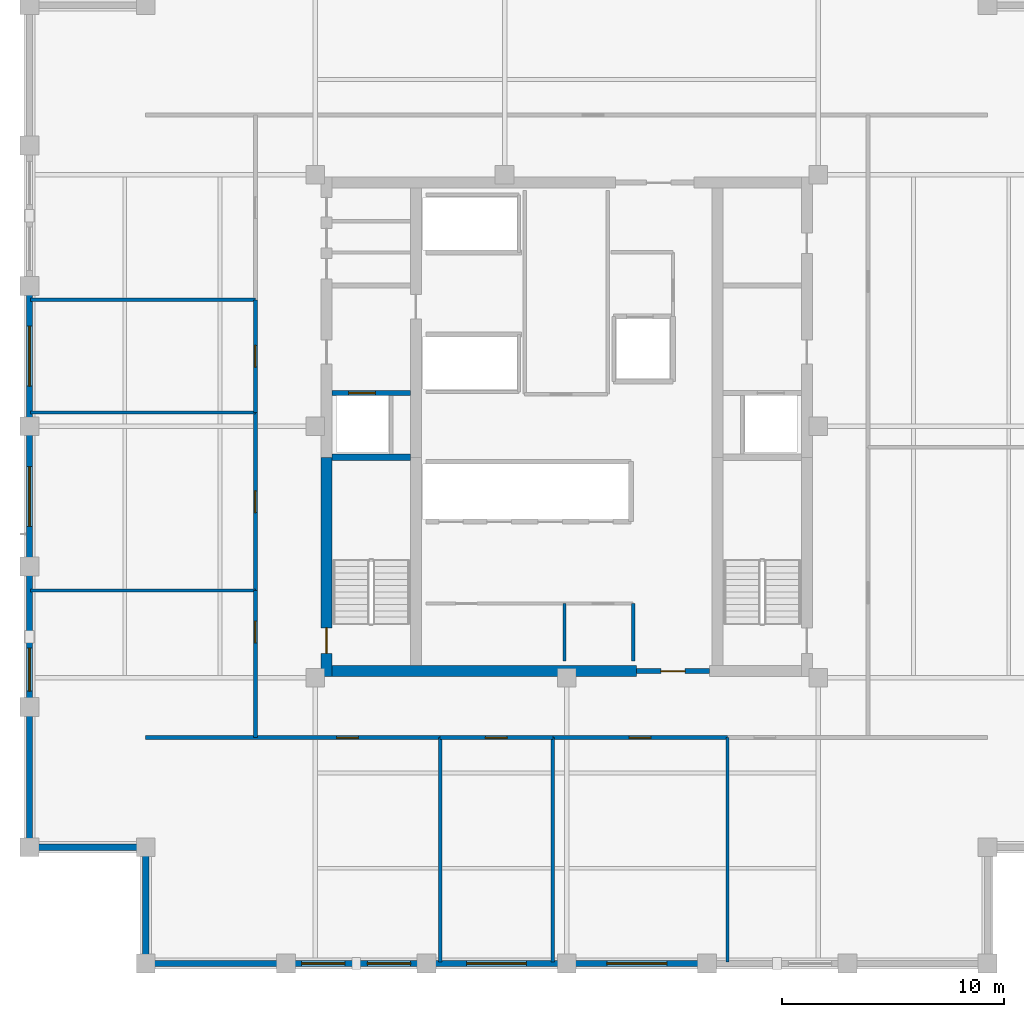
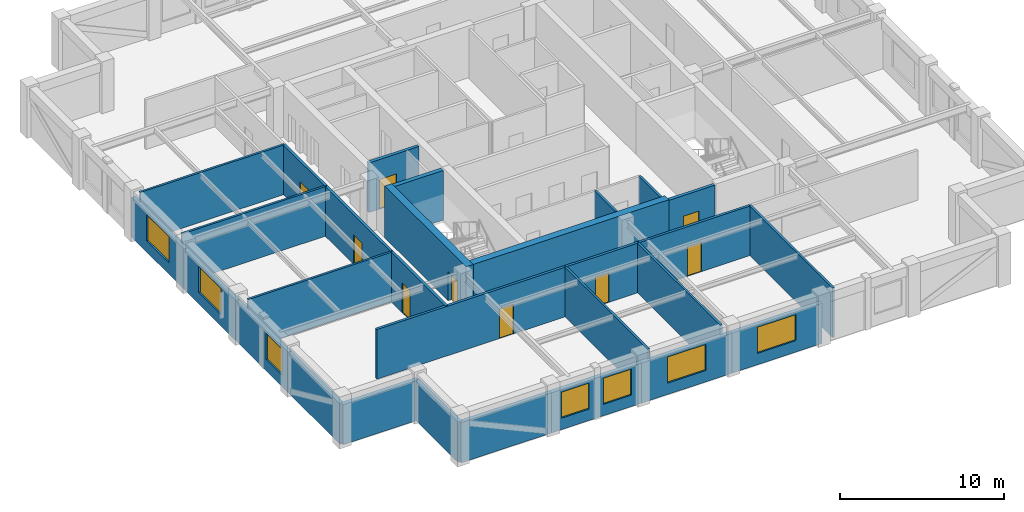
# One storey, part 5 of 9: 29 walls, 9 doors, 7 windows, 16 openings.
"""IFC4 building model written with IfcOpenShell, lengths in metres."""

from ifc_helpers import new_model, si_unit, direction, frame, frame_2d, origin, place, context, subcontext, project, spatial, rectangle, extrude, material, layer, layer_set, type_object, element, fill, save


model = new_model("IFC4")

# Units and contexts
model_context = context("Model", 3, precision=1e-05, world=origin(), true_north=direction((0.0, 1.0)))
body_context = subcontext(model_context, "Body", "Model", "MODEL_VIEW")
ifc_project = project(units=[si_unit("LENGTHUNIT", "METRE"), si_unit("AREAUNIT", "SQUARE_METRE"), si_unit("VOLUMEUNIT", "CUBIC_METRE"), si_unit("PLANEANGLEUNIT", "RADIAN"), si_unit("MASSUNIT", "GRAM", prefix="KILO")], contexts=[model_context])

# Site, building, storey
site_placement = place(None, origin())
site = spatial("IfcSite", under=ifc_project, at=site_placement, CompositionType="ELEMENT")
building_placement = place(site_placement, origin())
building = spatial("IfcBuilding", under=site, at=building_placement, Name="Nhamokura Convention Tower", CompositionType="ELEMENT")
storey_placement = place(building_placement, frame((0.0, 0.0, 221.550048828125)))
storey = spatial("IfcBuildingStorey", under=building, at=storey_placement, Name="L54", CompositionType="ELEMENT", Elevation=221.550048828125)

# Wall
ifc_material_1 = material(Name="Bronze-pigmented precast concrete C45/55", Category="concrete")
ifc_layer_1 = layer(ifc_material_1, 0.280029296875)
ifc_layer_set_1 = layer_set([ifc_layer_1], Name="BronzePrecastSpandrel_280")
wall_type_1 = type_object("IfcWallType", Name="BronzePrecastSpandrel_280", PredefinedType="USERDEFINED", material=ifc_layer_set_1)
wall_1_placement = place(storey_placement, frame((19.333251953125, 7.75, 0.0), z_axis=(0.0, 0.0, 1.0), x_axis=(-1.0, 0.0, 0.0)))
element("IfcWall", 1, at=wall_1_placement, inside=storey, type_object=wall_type_1, Name="L54 Braced-Bay Precast Wall SOUTH 0", ObjectType="SPANDREL_WALL", PredefinedType="USERDEFINED", context=body_context, shape_type="SweptSolid", body=[
    extrude(rectangle(XDim=6.333251953125, YDim=0.280029296875, at=frame_2d((3.16650390625, 0.0))), origin(), (0.0, 0.0, 1.0), 2.98486328125),
])

# Wall, openings, windows
wall_2_placement = place(storey_placement, frame((25.666748046875, 7.75, 0.0), z_axis=(0.0, 0.0, 1.0), x_axis=(-1.0, 0.0, 0.0)))
wall_2 = element("IfcWall", 2, at=wall_2_placement, inside=storey, type_object=wall_type_1, Name="L54 Masonry-Frame Wall SOUTH 1", ObjectType="SPANDREL_WALL", PredefinedType="USERDEFINED", context=body_context, shape_type="SweptSolid", body=[
    extrude(rectangle(XDim=6.33349609375, YDim=0.280029296875, at=frame_2d((3.166748046875, 0.0))), origin(), (0.0, 0.0, 1.0), 2.98486328125),
])
opening_1_placement = place(wall_2_placement, frame((0.708251953125, 0.0, 0.85009765625)))
opening_1 = element("IfcOpeningElement", 3, at=opening_1_placement, cuts=wall_2, Name="Opening W-08", PredefinedType="OPENING", context=body_context, shape_type="SweptSolid", body=[
    extrude(rectangle(XDim=1.949951171875, YDim=1.93505859375, at=frame_2d((0.97509765625, 0.967529296875))), frame((0.0, 0.14990234375, 0.0), z_axis=(0.0, -1.0, 0.0), x_axis=(1.0, 0.0, 0.0)), (0.0, 0.0, 1.0), 0.300048828125),
])
opening_2_placement = place(wall_2_placement, frame((3.675048828125, 0.0, 0.85009765625)))
opening_2 = element("IfcOpeningElement", 4, at=opening_2_placement, cuts=wall_2, Name="Opening W-08", PredefinedType="OPENING", context=body_context, shape_type="SweptSolid", body=[
    extrude(rectangle(XDim=1.949951171875, YDim=1.93505859375, at=frame_2d((0.97509765625, 0.967529296875))), frame((0.0, 0.14990234375, 0.0), z_axis=(0.0, -1.0, 0.0), x_axis=(1.0, 0.0, 0.0)), (0.0, 0.0, 1.0), 0.300048828125),
])
ifc_material_2 = material(Name="Solar-control bronze low-E double glass", Category="glass")
window_type_1 = type_object("IfcWindowType", Name="OfficeModuleWindow_Z3_1950", PartitioningType="SINGLE_PANEL", PredefinedType="WINDOW", material=ifc_material_2)
window_1_placement = place(opening_1_placement, origin())
window_1 = element("IfcWindow", 5, at=window_1_placement, inside=storey, type_object=window_type_1, Name="L54 Facade Window SOUTH 1-1", OverallHeight=1.93505859375, OverallWidth=1.949951171875, PartitioningType="SINGLE_PANEL", PredefinedType="WINDOW", context=body_context, shape_type="SweptSolid", body=[
    extrude(rectangle(XDim=1.949951171875, YDim=1.93505859375, at=frame_2d((0.97509765625, 0.967529296875))), frame((0.0, 0.030029296875, 0.0), z_axis=(0.0, -1.0, 0.0), x_axis=(1.0, 0.0, 0.0)), (0.0, 0.0, 1.0), 0.06005859375),
])
fill(opening_1, window_1)
window_2_placement = place(opening_2_placement, origin())
window_2 = element("IfcWindow", 6, at=window_2_placement, inside=storey, type_object=window_type_1, Name="L54 Facade Window SOUTH 1-2", OverallHeight=1.93505859375, OverallWidth=1.949951171875, PartitioningType="SINGLE_PANEL", PredefinedType="WINDOW", context=body_context, shape_type="SweptSolid", body=[
    extrude(rectangle(XDim=1.949951171875, YDim=1.93505859375, at=frame_2d((0.97509765625, 0.967529296875))), frame((0.0, 0.030029296875, 0.0), z_axis=(0.0, -1.0, 0.0), x_axis=(1.0, 0.0, 0.0)), (0.0, 0.0, 1.0), 0.06005859375),
])
fill(opening_2, window_2)

# Wall, opening, window
wall_3_placement = place(storey_placement, frame((32.0, 7.75, 0.0), z_axis=(0.0, 0.0, 1.0), x_axis=(-1.0, 0.0, 0.0)))
wall_3 = element("IfcWall", 7, at=wall_3_placement, inside=storey, type_object=wall_type_1, Name="L54 Masonry-Frame Wall SOUTH 2", ObjectType="SPANDREL_WALL", PredefinedType="USERDEFINED", context=body_context, shape_type="SweptSolid", body=[
    extrude(rectangle(XDim=6.333251953125, YDim=0.280029296875, at=frame_2d((3.16650390625, 0.0))), origin(), (0.0, 0.0, 1.0), 2.98486328125),
])
opening_3_placement = place(wall_3_placement, frame((1.816650390625, 0.0, 0.85009765625)))
opening_3 = element("IfcOpeningElement", 8, at=opening_3_placement, cuts=wall_3, Name="Opening W-07", PredefinedType="OPENING", context=body_context, shape_type="SweptSolid", body=[
    extrude(rectangle(XDim=2.699951171875, YDim=1.93505859375, at=frame_2d((1.35009765625, 0.967529296875))), frame((0.0, 0.14990234375, 0.0), z_axis=(0.0, -1.0, 0.0), x_axis=(1.0, 0.0, 0.0)), (0.0, 0.0, 1.0), 0.300048828125),
])
ifc_material_3 = material(Name="Solar-control bronze low-E double glass", Category="glass")
window_type_2 = type_object("IfcWindowType", Name="OfficeModuleWindow_Z3_2700", PartitioningType="DOUBLE_PANEL_VERTICAL", PredefinedType="WINDOW", material=ifc_material_3)
window_3_placement = place(opening_3_placement, origin())
window_3 = element("IfcWindow", 9, at=window_3_placement, inside=storey, type_object=window_type_2, Name="L54 Facade Window SOUTH 2", OverallHeight=1.93505859375, OverallWidth=2.699951171875, PartitioningType="SINGLE_PANEL", PredefinedType="WINDOW", context=body_context, shape_type="SweptSolid", body=[
    extrude(rectangle(XDim=2.699951171875, YDim=1.93505859375, at=frame_2d((1.35009765625, 0.967529296875))), frame((0.0, 0.030029296875, 0.0), z_axis=(0.0, -1.0, 0.0), x_axis=(1.0, 0.0, 0.0)), (0.0, 0.0, 1.0), 0.06005859375),
])
fill(opening_3, window_3)

wall_4_placement = place(storey_placement, frame((38.333251953125, 7.75, 0.0), z_axis=(0.0, 0.0, 1.0), x_axis=(-1.0, 0.0, 0.0)))
wall_4 = element("IfcWall", 10, at=wall_4_placement, inside=storey, type_object=wall_type_1, Name="L54 Masonry-Frame Wall SOUTH 3", ObjectType="SPANDREL_WALL", PredefinedType="USERDEFINED", context=body_context, shape_type="SweptSolid", body=[
    extrude(rectangle(XDim=6.333251953125, YDim=0.280029296875, at=frame_2d((3.16650390625, 0.0))), origin(), (0.0, 0.0, 1.0), 2.98486328125),
])
opening_4_placement = place(wall_4_placement, frame((1.816650390625, 0.0, 0.85009765625)))
opening_4 = element("IfcOpeningElement", 11, at=opening_4_placement, cuts=wall_4, Name="Opening W-07", PredefinedType="OPENING", context=body_context, shape_type="SweptSolid", body=[
    extrude(rectangle(XDim=2.699951171875, YDim=1.93505859375, at=frame_2d((1.35009765625, 0.967529296875))), frame((0.0, 0.14990234375, 0.0), z_axis=(0.0, -1.0, 0.0), x_axis=(1.0, 0.0, 0.0)), (0.0, 0.0, 1.0), 0.300048828125),
])
window_4_placement = place(opening_4_placement, origin())
window_4 = element("IfcWindow", 12, at=window_4_placement, inside=storey, type_object=window_type_2, Name="L54 Facade Window SOUTH 3", OverallHeight=1.93505859375, OverallWidth=2.699951171875, PartitioningType="SINGLE_PANEL", PredefinedType="WINDOW", context=body_context, shape_type="SweptSolid", body=[
    extrude(rectangle(XDim=2.699951171875, YDim=1.93505859375, at=frame_2d((1.35009765625, 0.967529296875))), frame((0.0, 0.030029296875, 0.0), z_axis=(0.0, -1.0, 0.0), x_axis=(1.0, 0.0, 0.0)), (0.0, 0.0, 1.0), 0.06005859375),
])
fill(opening_4, window_4)

# Wall
wall_5_placement = place(storey_placement, frame((7.75, 13.0, 0.0), z_axis=(0.0, 0.0, 1.0), x_axis=(0.0, 1.0, 0.0)))
element("IfcWall", 13, at=wall_5_placement, inside=storey, type_object=wall_type_1, Name="L54 Braced-Bay Precast Wall WEST 0", ObjectType="SPANDREL_WALL", PredefinedType="USERDEFINED", context=body_context, shape_type="SweptSolid", body=[
    extrude(rectangle(XDim=6.333251953125, YDim=0.280029296875, at=frame_2d((3.16650390625, 0.0))), origin(), (0.0, 0.0, 1.0), 2.98486328125),
])

# Wall, opening, window
wall_6_placement = place(storey_placement, frame((7.75, 19.333251953125, 0.0), z_axis=(0.0, 0.0, 1.0), x_axis=(0.0, 1.0, 0.0)))
wall_6 = element("IfcWall", 14, at=wall_6_placement, inside=storey, type_object=wall_type_1, Name="L54 Masonry-Frame Wall WEST 1", ObjectType="SPANDREL_WALL", PredefinedType="USERDEFINED", context=body_context, shape_type="SweptSolid", body=[
    extrude(rectangle(XDim=6.33349609375, YDim=0.280029296875, at=frame_2d((3.166748046875, 0.0))), origin(), (0.0, 0.0, 1.0), 2.98486328125),
])
opening_5_placement = place(wall_6_placement, frame((0.708251953125, 0.0, 0.85009765625)))
opening_5 = element("IfcOpeningElement", 15, at=opening_5_placement, cuts=wall_6, Name="Opening W-08", PredefinedType="OPENING", context=body_context, shape_type="SweptSolid", body=[
    extrude(rectangle(XDim=1.949951171875, YDim=1.93505859375, at=frame_2d((0.97509765625, 0.967529296875))), frame((0.0, 0.14990234375, 0.0), z_axis=(0.0, -1.0, 0.0), x_axis=(1.0, 0.0, 0.0)), (0.0, 0.0, 1.0), 0.300048828125),
])
window_5_placement = place(opening_5_placement, origin())
window_5 = element("IfcWindow", 16, at=window_5_placement, inside=storey, type_object=window_type_1, Name="L54 Facade Window WEST 1-1", OverallHeight=1.93505859375, OverallWidth=1.949951171875, PartitioningType="SINGLE_PANEL", PredefinedType="WINDOW", context=body_context, shape_type="SweptSolid", body=[
    extrude(rectangle(XDim=1.949951171875, YDim=1.93505859375, at=frame_2d((0.97509765625, 0.967529296875))), frame((0.0, 0.030029296875, 0.0), z_axis=(0.0, -1.0, 0.0), x_axis=(1.0, 0.0, 0.0)), (0.0, 0.0, 1.0), 0.06005859375),
])
fill(opening_5, window_5)

wall_7_placement = place(storey_placement, frame((7.75, 25.666748046875, 0.0), z_axis=(0.0, 0.0, 1.0), x_axis=(0.0, 1.0, 0.0)))
wall_7 = element("IfcWall", 17, at=wall_7_placement, inside=storey, type_object=wall_type_1, Name="L54 Masonry-Frame Wall WEST 2", ObjectType="SPANDREL_WALL", PredefinedType="USERDEFINED", context=body_context, shape_type="SweptSolid", body=[
    extrude(rectangle(XDim=6.333251953125, YDim=0.280029296875, at=frame_2d((3.16650390625, 0.0))), origin(), (0.0, 0.0, 1.0), 2.98486328125),
])
opening_6_placement = place(wall_7_placement, frame((1.816650390625, 0.0, 0.85009765625)))
opening_6 = element("IfcOpeningElement", 18, at=opening_6_placement, cuts=wall_7, Name="Opening W-07", PredefinedType="OPENING", context=body_context, shape_type="SweptSolid", body=[
    extrude(rectangle(XDim=2.699951171875, YDim=1.93505859375, at=frame_2d((1.35009765625, 0.967529296875))), frame((0.0, 0.14990234375, 0.0), z_axis=(0.0, -1.0, 0.0), x_axis=(1.0, 0.0, 0.0)), (0.0, 0.0, 1.0), 0.300048828125),
])
window_6_placement = place(opening_6_placement, origin())
window_6 = element("IfcWindow", 19, at=window_6_placement, inside=storey, type_object=window_type_2, Name="L54 Facade Window WEST 2", OverallHeight=1.93505859375, OverallWidth=2.699951171875, PartitioningType="SINGLE_PANEL", PredefinedType="WINDOW", context=body_context, shape_type="SweptSolid", body=[
    extrude(rectangle(XDim=2.699951171875, YDim=1.93505859375, at=frame_2d((1.35009765625, 0.967529296875))), frame((0.0, 0.030029296875, 0.0), z_axis=(0.0, -1.0, 0.0), x_axis=(1.0, 0.0, 0.0)), (0.0, 0.0, 1.0), 0.06005859375),
])
fill(opening_6, window_6)

wall_8_placement = place(storey_placement, frame((7.75, 32.0, 0.0), z_axis=(0.0, 0.0, 1.0), x_axis=(0.0, 1.0, 0.0)))
wall_8 = element("IfcWall", 20, at=wall_8_placement, inside=storey, type_object=wall_type_1, Name="L54 Masonry-Frame Wall WEST 3", ObjectType="SPANDREL_WALL", PredefinedType="USERDEFINED", context=body_context, shape_type="SweptSolid", body=[
    extrude(rectangle(XDim=6.333251953125, YDim=0.280029296875, at=frame_2d((3.16650390625, 0.0))), origin(), (0.0, 0.0, 1.0), 2.98486328125),
])
opening_7_placement = place(wall_8_placement, frame((1.816650390625, 0.0, 0.85009765625)))
opening_7 = element("IfcOpeningElement", 21, at=opening_7_placement, cuts=wall_8, Name="Opening W-07", PredefinedType="OPENING", context=body_context, shape_type="SweptSolid", body=[
    extrude(rectangle(XDim=2.699951171875, YDim=1.93505859375, at=frame_2d((1.35009765625, 0.967529296875))), frame((0.0, 0.14990234375, 0.0), z_axis=(0.0, -1.0, 0.0), x_axis=(1.0, 0.0, 0.0)), (0.0, 0.0, 1.0), 0.300048828125),
])
window_7_placement = place(opening_7_placement, origin())
window_7 = element("IfcWindow", 22, at=window_7_placement, inside=storey, type_object=window_type_2, Name="L54 Facade Window WEST 3", OverallHeight=1.93505859375, OverallWidth=2.699951171875, PartitioningType="SINGLE_PANEL", PredefinedType="WINDOW", context=body_context, shape_type="SweptSolid", body=[
    extrude(rectangle(XDim=2.699951171875, YDim=1.93505859375, at=frame_2d((1.35009765625, 0.967529296875))), frame((0.0, 0.030029296875, 0.0), z_axis=(0.0, -1.0, 0.0), x_axis=(1.0, 0.0, 0.0)), (0.0, 0.0, 1.0), 0.06005859375),
])
fill(opening_7, window_7)

# Walls
for number, where, z_axis, x_axis, name in (
    (23, (13.0, 7.75, 0.0), (0.0, 0.0, 1.0), (0.0, 1.0, 0.0), "L54 Notched Corner Wall SW1"),
    (24, (13.0, 13.0, 0.0), (0.0, 0.0, 1.0), (-1.0, 0.0, 0.0), "L54 Notched Corner Wall SW2"),
):
    element("IfcWall", number, at=place(storey_placement, frame(where, z_axis=z_axis, x_axis=x_axis)), inside=storey, type_object=wall_type_1, Name=name, ObjectType="SPANDREL_WALL", PredefinedType="USERDEFINED", context=body_context, shape_type="SweptSolid", body=[
        extrude(rectangle(XDim=5.25, YDim=0.280029296875, at=frame_2d((2.625, 0.0))), origin(), (0.0, 0.0, 1.0), 2.98486328125),
    ])

# Wall, opening, door
ifc_material_4 = material(Name="Concrete C60/75", Category="concrete")
ifc_layer_2 = layer(ifc_material_4, 0.5)
ifc_layer_set_2 = layer_set([ifc_layer_2], Name="CoreShearWall_500")
wall_type_2 = type_object("IfcWallType", Name="CoreShearWall_500", PredefinedType="SHEAR", material=ifc_layer_set_2)
wall_9_placement = place(storey_placement, frame((21.159912109375, 20.699951171875, 0.0), z_axis=(0.0, 0.0, 1.0), x_axis=(0.0, 1.0, 0.0)))
wall_9 = element("IfcWall", 25, at=wall_9_placement, inside=storey, type_object=wall_type_2, Name="L54 Core Shear Wall CW-WS", PredefinedType="SHEAR", context=body_context, shape_type="SweptSolid", body=[
    extrude(rectangle(XDim=9.900146484375, YDim=0.5, at=frame_2d((4.9501953125, 0.0))), origin(), (0.0, 0.0, 1.0), 3.849853515625),
])
opening_8_placement = place(wall_9_placement, frame((1.050048828125, 0.0, 0.0)))
opening_8 = element("IfcOpeningElement", 26, at=opening_8_placement, cuts=wall_9, Name="Opening D-04", PredefinedType="OPENING", context=body_context, shape_type="SweptSolid", body=[
    extrude(rectangle(XDim=1.14990234375, YDim=2.14990234375, at=frame_2d((0.574951171875, 1.074951171875))), frame((0.0, 0.260009765625, 0.0), z_axis=(0.0, -1.0, 0.0), x_axis=(1.0, 0.0, 0.0)), (0.0, 0.0, 1.0), 0.52001953125),
])
ifc_material_5 = material(Name="Fire-rated steel door", Category="steel")
door_type_1 = type_object("IfcDoorType", Name="StairSmokeDoor_1150", OperationType="NOTDEFINED", PredefinedType="DOOR", material=ifc_material_5)
door_1_placement = place(opening_8_placement, origin())
door_1 = element("IfcDoor", 27, at=door_1_placement, inside=storey, type_object=door_type_1, Name="L54 Core Door INT-L54-D-ST01", OperationType="SINGLE_SWING_LEFT", OverallHeight=2.14990234375, OverallWidth=1.14990234375, PredefinedType="DOOR", context=body_context, shape_type="SweptSolid", body=[
    extrude(rectangle(XDim=1.14990234375, YDim=2.14990234375, at=frame_2d((0.574951171875, 1.074951171875))), frame((0.0, 0.02490234375, 0.0), z_axis=(0.0, -1.0, 0.0), x_axis=(1.0, 0.0, 0.0)), (0.0, 0.0, 1.0), 0.050048828125),
])
fill(opening_8, door_1)

# Wall
wall_10_placement = place(storey_placement, frame((21.409912109375, 20.949951171875, 0.0), z_axis=(0.0, 0.0, 1.0), x_axis=(1.0, 0.0, 0.0)))
element("IfcWall", 28, at=wall_10_placement, inside=storey, type_object=wall_type_2, Name="L54 Core Shear Wall CW-S1", PredefinedType="SHEAR", context=body_context, shape_type="SweptSolid", body=[
    extrude(rectangle(XDim=13.739990234375, YDim=0.5, at=frame_2d((6.8701171875, 0.0))), origin(), (0.0, 0.0, 1.0), 3.849853515625),
])

# Wall, opening, door
ifc_material_6 = material(Name="Fire-rated gypsum and masonry partition", Category="masonry")
ifc_layer_3 = layer(ifc_material_6, 0.179931640625)
ifc_layer_set_3 = layer_set([ifc_layer_3], Name="CorridorRatedWall_180")
wall_type_3 = type_object("IfcWallType", Name="CorridorRatedWall_180", PredefinedType="STANDARD", material=ifc_layer_set_3)
wall_11_placement = place(storey_placement, frame((13.0, 17.949951171875, 0.0), z_axis=(0.0, 0.0, 1.0), x_axis=(1.0, 0.0, 0.0)))
wall_11 = element("IfcWall", 29, at=wall_11_placement, inside=storey, type_object=wall_type_3, Name="L54 Wall INT-L54-CW-S00", PredefinedType="STANDARD", context=body_context, shape_type="SweptSolid", body=[
    extrude(rectangle(XDim=13.291748046875, YDim=0.179931640625, at=frame_2d((6.64599609375, 0.0))), origin(), (0.0, 0.0, 1.0), 3.68505859375),
])
opening_9_placement = place(wall_11_placement, frame((8.620849609375, 0.0, 0.0)))
opening_9 = element("IfcOpeningElement", 30, at=opening_9_placement, cuts=wall_11, Name="Opening D-08", PredefinedType="OPENING", context=body_context, shape_type="SweptSolid", body=[
    extrude(rectangle(XDim=0.97998046875, YDim=2.199951171875, at=frame_2d((0.489990234375, 1.10009765625))), frame((0.0, 0.099853515625, 0.0), z_axis=(0.0, -1.0, 0.0), x_axis=(1.0, 0.0, 0.0)), (0.0, 0.0, 1.0), 0.199951171875),
])
ifc_material_7 = material(Name="Solid oak hardwood", Category="wood")
door_type_2 = type_object("IfcDoorType", Name="OfficeEntryDoor_980", OperationType="NOTDEFINED", PredefinedType="DOOR", material=ifc_material_7)
door_2_placement = place(opening_9_placement, origin())
door_2 = element("IfcDoor", 31, at=door_2_placement, inside=storey, type_object=door_type_2, Name="L54 Executive Suite S01 Door", OperationType="SINGLE_SWING_LEFT", OverallHeight=2.199951171875, OverallWidth=0.97998046875, PredefinedType="DOOR", context=body_context, shape_type="SweptSolid", body=[
    extrude(rectangle(XDim=0.97998046875, YDim=2.199951171875, at=frame_2d((0.489990234375, 1.10009765625))), frame((0.0, 0.02490234375, 0.0), z_axis=(0.0, -1.0, 0.0), x_axis=(1.0, 0.0, 0.0)), (0.0, 0.0, 1.0), 0.050048828125),
])
fill(opening_9, door_2)

wall_12_placement = place(storey_placement, frame((26.291748046875, 17.949951171875, 0.0), z_axis=(0.0, 0.0, 1.0), x_axis=(1.0, 0.0, 0.0)))
wall_12 = element("IfcWall", 32, at=wall_12_placement, inside=storey, type_object=wall_type_3, Name="L54 Wall INT-L54-CW-S01", PredefinedType="STANDARD", context=body_context, shape_type="SweptSolid", body=[
    extrude(rectangle(XDim=5.083251953125, YDim=0.179931640625, at=frame_2d((2.54150390625, 0.0))), origin(), (0.0, 0.0, 1.0), 3.68505859375),
])
opening_10_placement = place(wall_12_placement, frame((2.041748046875, 0.0, 0.0)))
opening_10 = element("IfcOpeningElement", 33, at=opening_10_placement, cuts=wall_12, Name="Opening D-08", PredefinedType="OPENING", context=body_context, shape_type="SweptSolid", body=[
    extrude(rectangle(XDim=0.97998046875, YDim=2.199951171875, at=frame_2d((0.489990234375, 1.10009765625))), frame((0.0, 0.099853515625, 0.0), z_axis=(0.0, -1.0, 0.0), x_axis=(1.0, 0.0, 0.0)), (0.0, 0.0, 1.0), 0.199951171875),
])
door_3_placement = place(opening_10_placement, origin())
door_3 = element("IfcDoor", 34, at=door_3_placement, inside=storey, type_object=door_type_2, Name="L54 Executive Suite S02 Door", OperationType="SINGLE_SWING_RIGHT", OverallHeight=2.199951171875, OverallWidth=0.97998046875, PredefinedType="DOOR", context=body_context, shape_type="SweptSolid", body=[
    extrude(rectangle(XDim=0.97998046875, YDim=2.199951171875, at=frame_2d((0.489990234375, 1.10009765625))), frame((0.0, 0.02490234375, 0.0), z_axis=(0.0, -1.0, 0.0), x_axis=(1.0, 0.0, 0.0)), (0.0, 0.0, 1.0), 0.050048828125),
])
fill(opening_10, door_3)

wall_13_placement = place(storey_placement, frame((31.375, 17.949951171875, 0.0), z_axis=(0.0, 0.0, 1.0), x_axis=(1.0, 0.0, 0.0)))
wall_13 = element("IfcWall", 35, at=wall_13_placement, inside=storey, type_object=wall_type_3, Name="L54 Wall INT-L54-CW-S02", PredefinedType="STANDARD", context=body_context, shape_type="SweptSolid", body=[
    extrude(rectangle(XDim=7.88330078125, YDim=0.179931640625, at=frame_2d((3.941650390625, 0.0))), origin(), (0.0, 0.0, 1.0), 3.68505859375),
])
opening_11_placement = place(wall_13_placement, frame((3.441650390625, 0.0, 0.0)))
opening_11 = element("IfcOpeningElement", 36, at=opening_11_placement, cuts=wall_13, Name="Opening D-08", PredefinedType="OPENING", context=body_context, shape_type="SweptSolid", body=[
    extrude(rectangle(XDim=0.97998046875, YDim=2.199951171875, at=frame_2d((0.489990234375, 1.10009765625))), frame((0.0, 0.099853515625, 0.0), z_axis=(0.0, -1.0, 0.0), x_axis=(1.0, 0.0, 0.0)), (0.0, 0.0, 1.0), 0.199951171875),
])
door_4_placement = place(opening_11_placement, origin())
door_4 = element("IfcDoor", 37, at=door_4_placement, inside=storey, type_object=door_type_2, Name="L54 Private Dining Room S03 Door", OperationType="SINGLE_SWING_LEFT", OverallHeight=2.199951171875, OverallWidth=0.97998046875, PredefinedType="DOOR", context=body_context, shape_type="SweptSolid", body=[
    extrude(rectangle(XDim=0.97998046875, YDim=2.199951171875, at=frame_2d((0.489990234375, 1.10009765625))), frame((0.0, 0.02490234375, 0.0), z_axis=(0.0, -1.0, 0.0), x_axis=(1.0, 0.0, 0.0)), (0.0, 0.0, 1.0), 0.050048828125),
])
fill(opening_11, door_4)

wall_14_placement = place(storey_placement, frame((17.949951171875, 17.949951171875, 0.0), z_axis=(0.0, 0.0, 1.0), x_axis=(0.0, 1.0, 0.0)))
wall_14 = element("IfcWall", 38, at=wall_14_placement, inside=storey, type_object=wall_type_3, Name="L54 Wall INT-L54-CW-W00", PredefinedType="STANDARD", context=body_context, shape_type="SweptSolid", body=[
    extrude(rectangle(XDim=6.641845703125, YDim=0.179931640625, at=frame_2d((3.32080078125, 0.0))), origin(), (0.0, 0.0, 1.0), 3.68505859375),
])
opening_12_placement = place(wall_14_placement, frame((4.270751953125, 0.0, 0.0)))
opening_12 = element("IfcOpeningElement", 39, at=opening_12_placement, cuts=wall_14, Name="Opening D-08", PredefinedType="OPENING", context=body_context, shape_type="SweptSolid", body=[
    extrude(rectangle(XDim=0.97998046875, YDim=2.199951171875, at=frame_2d((0.489990234375, 1.10009765625))), frame((0.0, 0.099853515625, 0.0), z_axis=(0.0, -1.0, 0.0), x_axis=(1.0, 0.0, 0.0)), (0.0, 0.0, 1.0), 0.199951171875),
])
door_5_placement = place(opening_12_placement, origin())
door_5 = element("IfcDoor", 40, at=door_5_placement, inside=storey, type_object=door_type_2, Name="L54 Kitchen W01 Door", OperationType="SINGLE_SWING_LEFT", OverallHeight=2.199951171875, OverallWidth=0.97998046875, PredefinedType="DOOR", context=body_context, shape_type="SweptSolid", body=[
    extrude(rectangle(XDim=0.97998046875, YDim=2.199951171875, at=frame_2d((0.489990234375, 1.10009765625))), frame((0.0, 0.02490234375, 0.0), z_axis=(0.0, -1.0, 0.0), x_axis=(1.0, 0.0, 0.0)), (0.0, 0.0, 1.0), 0.050048828125),
])
fill(opening_12, door_5)

wall_15_placement = place(storey_placement, frame((17.949951171875, 24.591796875, 0.0), z_axis=(0.0, 0.0, 1.0), x_axis=(0.0, 1.0, 0.0)))
wall_15 = element("IfcWall", 41, at=wall_15_placement, inside=storey, type_object=wall_type_3, Name="L54 Wall INT-L54-CW-W01", PredefinedType="STANDARD", context=body_context, shape_type="SweptSolid", body=[
    extrude(rectangle(XDim=8.033203125, YDim=0.179931640625, at=frame_2d((4.0166015625, 0.0))), origin(), (0.0, 0.0, 1.0), 3.68505859375),
])
opening_13_placement = place(wall_15_placement, frame((3.5166015625, 0.0, 0.0)))
opening_13 = element("IfcOpeningElement", 42, at=opening_13_placement, cuts=wall_15, Name="Opening D-08", PredefinedType="OPENING", context=body_context, shape_type="SweptSolid", body=[
    extrude(rectangle(XDim=0.97998046875, YDim=2.199951171875, at=frame_2d((0.489990234375, 1.10009765625))), frame((0.0, 0.099853515625, 0.0), z_axis=(0.0, -1.0, 0.0), x_axis=(1.0, 0.0, 0.0)), (0.0, 0.0, 1.0), 0.199951171875),
])
door_6_placement = place(opening_13_placement, origin())
door_6 = element("IfcDoor", 43, at=door_6_placement, inside=storey, type_object=door_type_2, Name="L54 Kitchen W02 Door", OperationType="SINGLE_SWING_RIGHT", OverallHeight=2.199951171875, OverallWidth=0.97998046875, PredefinedType="DOOR", context=body_context, shape_type="SweptSolid", body=[
    extrude(rectangle(XDim=0.97998046875, YDim=2.199951171875, at=frame_2d((0.489990234375, 1.10009765625))), frame((0.0, 0.02490234375, 0.0), z_axis=(0.0, -1.0, 0.0), x_axis=(1.0, 0.0, 0.0)), (0.0, 0.0, 1.0), 0.050048828125),
])
fill(opening_13, door_6)

wall_16_placement = place(storey_placement, frame((17.949951171875, 32.625, 0.0), z_axis=(0.0, 0.0, 1.0), x_axis=(0.0, 1.0, 0.0)))
wall_16 = element("IfcWall", 44, at=wall_16_placement, inside=storey, type_object=wall_type_3, Name="L54 Wall INT-L54-CW-W02", PredefinedType="STANDARD", context=body_context, shape_type="SweptSolid", body=[
    extrude(rectangle(XDim=5.083251953125, YDim=0.179931640625, at=frame_2d((2.54150390625, 0.0))), origin(), (0.0, 0.0, 1.0), 3.68505859375),
])
opening_14_placement = place(wall_16_placement, frame((2.041748046875, 0.0, 0.0)))
opening_14 = element("IfcOpeningElement", 45, at=opening_14_placement, cuts=wall_16, Name="Opening D-08", PredefinedType="OPENING", context=body_context, shape_type="SweptSolid", body=[
    extrude(rectangle(XDim=0.97998046875, YDim=2.199951171875, at=frame_2d((0.489990234375, 1.10009765625))), frame((0.0, 0.099853515625, 0.0), z_axis=(0.0, -1.0, 0.0), x_axis=(1.0, 0.0, 0.0)), (0.0, 0.0, 1.0), 0.199951171875),
])
door_7_placement = place(opening_14_placement, origin())
door_7 = element("IfcDoor", 46, at=door_7_placement, inside=storey, type_object=door_type_2, Name="L54 Private Office W03 Door", OperationType="SINGLE_SWING_LEFT", OverallHeight=2.199951171875, OverallWidth=0.97998046875, PredefinedType="DOOR", context=body_context, shape_type="SweptSolid", body=[
    extrude(rectangle(XDim=0.97998046875, YDim=2.199951171875, at=frame_2d((0.489990234375, 1.10009765625))), frame((0.0, 0.02490234375, 0.0), z_axis=(0.0, -1.0, 0.0), x_axis=(1.0, 0.0, 0.0)), (0.0, 0.0, 1.0), 0.050048828125),
])
fill(opening_14, door_7)

ifc_material_8 = material(Name="Autoclaved concrete blockwork", Category="masonry")
ifc_layer_4 = layer(ifc_material_8, 0.219970703125)
ifc_layer_set_4 = layer_set([ifc_layer_4], Name="FireLobbyWall_220")
wall_type_4 = type_object("IfcWallType", Name="FireLobbyWall_220", PredefinedType="STANDARD", material=ifc_layer_set_4)
wall_17_placement = place(storey_placement, frame((21.409912109375, 33.5, 0.0), z_axis=(0.0, 0.0, 1.0), x_axis=(1.0, 0.0, 0.0)))
wall_17 = element("IfcWall", 47, at=wall_17_placement, inside=storey, type_object=wall_type_4, Name="L54 Wall INT-L54-FFW-S", PredefinedType="STANDARD", context=body_context, shape_type="SweptSolid", body=[
    extrude(rectangle(XDim=3.530029296875, YDim=0.219970703125, at=frame_2d((1.76513671875, 0.0))), origin(), (0.0, 0.0, 1.0), 3.68505859375),
])
opening_15_placement = place(wall_17_placement, frame((0.75, 0.0, 0.0)))
opening_15 = element("IfcOpeningElement", 48, at=opening_15_placement, cuts=wall_17, Name="Opening LD-02", PredefinedType="OPENING", context=body_context, shape_type="SweptSolid", body=[
    extrude(rectangle(XDim=1.199951171875, YDim=2.199951171875, at=frame_2d((0.60009765625, 1.10009765625))), frame((0.0, 0.119873046875, 0.0), z_axis=(0.0, -1.0, 0.0), x_axis=(1.0, 0.0, 0.0)), (0.0, 0.0, 1.0), 0.239990234375),
])
ifc_material_9 = material(Name="Anodised bronze stainless steel", Category="steel")
door_type_3 = type_object("IfcDoorType", Name="LiftLandingDoor_FireService", OperationType="DOUBLE_DOOR_SLIDING", PredefinedType="DOOR", material=ifc_material_9)
door_8_placement = place(opening_15_placement, origin())
door_8 = element("IfcDoor", 49, at=door_8_placement, inside=storey, type_object=door_type_3, Name="L54 Firefighting Lift LF-01 Door", OperationType="DOUBLE_DOOR_SLIDING", OverallHeight=2.199951171875, OverallWidth=1.199951171875, PredefinedType="DOOR", context=body_context, shape_type="SweptSolid", body=[
    extrude(rectangle(XDim=1.199951171875, YDim=2.199951171875, at=frame_2d((0.60009765625, 1.10009765625))), frame((0.0, 0.02490234375, 0.0), z_axis=(0.0, -1.0, 0.0), x_axis=(1.0, 0.0, 0.0)), (0.0, 0.0, 1.0), 0.050048828125),
])
fill(opening_15, door_8)

wall_18_placement = place(storey_placement, frame((35.14990234375, 20.949951171875, 0.0), z_axis=(0.0, 0.0, 1.0), x_axis=(1.0, 0.0, 0.0)))
wall_18 = element("IfcWall", 50, at=wall_18_placement, inside=storey, type_object=wall_type_4, Name="L54 Wall INT-L54-SPORT-S", PredefinedType="STANDARD", context=body_context, shape_type="SweptSolid", body=[
    extrude(rectangle(XDim=3.300048828125, YDim=0.219970703125, at=frame_2d((1.64990234375, 0.0))), origin(), (0.0, 0.0, 1.0), 3.68505859375),
])
opening_16_placement = place(wall_18_placement, frame((1.10009765625, 0.0, 0.0)))
opening_16 = element("IfcOpeningElement", 51, at=opening_16_placement, cuts=wall_18, Name="Opening D-05", PredefinedType="OPENING", context=body_context, shape_type="SweptSolid", body=[
    extrude(rectangle(XDim=1.10009765625, YDim=2.14990234375, at=frame_2d((0.550048828125, 1.074951171875))), frame((0.0, 0.119873046875, 0.0), z_axis=(0.0, -1.0, 0.0), x_axis=(1.0, 0.0, 0.0)), (0.0, 0.0, 1.0), 0.239990234375),
])
ifc_material_10 = material(Name="Fire-rated steel door", Category="steel")
door_type_4 = type_object("IfcDoorType", Name="FireLobbyDoor_1100", OperationType="NOTDEFINED", PredefinedType="DOOR", material=ifc_material_10)
door_9_placement = place(opening_16_placement, origin())
door_9 = element("IfcDoor", 52, at=door_9_placement, inside=storey, type_object=door_type_4, Name="L54 South Core Lobby Portal Door", OperationType="SINGLE_SWING_LEFT", OverallHeight=2.14990234375, OverallWidth=1.10009765625, PredefinedType="DOOR", context=body_context, shape_type="SweptSolid", body=[
    extrude(rectangle(XDim=1.10009765625, YDim=2.14990234375, at=frame_2d((0.550048828125, 1.074951171875))), frame((0.0, 0.02490234375, 0.0), z_axis=(0.0, -1.0, 0.0), x_axis=(1.0, 0.0, 0.0)), (0.0, 0.0, 1.0), 0.050048828125),
])
fill(opening_16, door_9)

# Walls
ifc_material_11 = material(Name="Acoustic gypsum stud partition", Category="masonry")
ifc_layer_5 = layer(ifc_material_11, 0.14990234375)
ifc_layer_set_5 = layer_set([ifc_layer_5], Name="InteriorPartition_150")
wall_type_5 = type_object("IfcWallType", Name="InteriorPartition_150", PredefinedType="STANDARD", material=ifc_layer_set_5)
for number, where, z_axis, x_axis, name in (
    (53, (31.89990234375, 21.39990234375, 0.0), (0.0, 0.0, 1.0), (0.0, 1.0, 0.0), "L54 Wall INT-L54-B1R-M"),
    (54, (35.0, 21.39990234375, 0.0), (0.0, 0.0, 1.0), (0.0, 1.0, 0.0), "L54 Wall INT-L54-B1R-E"),
):
    element("IfcWall", number, at=place(storey_placement, frame(where, z_axis=z_axis, x_axis=x_axis)), inside=storey, type_object=wall_type_5, Name=name, PredefinedType="STANDARD", context=body_context, shape_type="SweptSolid", body=[
        extrude(rectangle(XDim=2.60009765625, YDim=0.14990234375, at=frame_2d((1.300048828125, 0.0))), origin(), (0.0, 0.0, 1.0), 3.68505859375),
    ])
for number, where, z_axis, x_axis, name in (
    (55, (26.291748046875, 7.81005859375, 0.0), (0.0, 0.0, 1.0), (0.0, 1.0, 0.0), "L54 Wall INT-L54-RW-S01"),
    (56, (31.375, 7.81005859375, 0.0), (0.0, 0.0, 1.0), (0.0, 1.0, 0.0), "L54 Wall INT-L54-RW-S02"),
    (57, (39.25830078125, 7.81005859375, 0.0), (0.0, 0.0, 1.0), (0.0, 1.0, 0.0), "L54 Wall INT-L54-RW-S03"),
    (58, (7.81005859375, 24.591796875, 0.0), (0.0, 0.0, 1.0), (1.0, 0.0, 0.0), "L54 Wall INT-L54-RW-W01"),
    (59, (7.81005859375, 32.625, 0.0), (0.0, 0.0, 1.0), (1.0, 0.0, 0.0), "L54 Wall INT-L54-RW-W02"),
    (60, (7.81005859375, 37.708251953125, 0.0), (0.0, 0.0, 1.0), (1.0, 0.0, 0.0), "L54 Wall INT-L54-RW-W03"),
):
    element("IfcWall", number, at=place(storey_placement, frame(where, z_axis=z_axis, x_axis=x_axis)), inside=storey, type_object=wall_type_5, Name=name, PredefinedType="STANDARD", context=body_context, shape_type="SweptSolid", body=[
        extrude(rectangle(XDim=10.139892578125, YDim=0.14990234375, at=frame_2d((5.06982421875, 0.0))), origin(), (0.0, 0.0, 1.0), 3.68505859375),
    ])
ifc_material_12 = material(Name="Concrete C50/60", Category="concrete")
ifc_layer_6 = layer(ifc_material_12, 0.300048828125)
ifc_layer_set_6 = layer_set([ifc_layer_6], Name="ShaftEnclosureWall_300")
wall_type_6 = type_object("IfcWallType", Name="ShaftEnclosureWall_300", PredefinedType="SHEAR", material=ifc_layer_set_6)
wall_19_placement = place(storey_placement, frame((21.409912109375, 30.60009765625, 0.0), z_axis=(0.0, 0.0, 1.0), x_axis=(1.0, 0.0, 0.0)))
element("IfcWall", 61, at=wall_19_placement, inside=storey, type_object=wall_type_6, Name="L54 Wall INT-L54-ST01-N", PredefinedType="SHEAR", context=body_context, shape_type="SweptSolid", body=[
    extrude(rectangle(XDim=3.530029296875, YDim=0.300048828125, at=frame_2d((1.76513671875, 0.0))), origin(), (0.0, 0.0, 1.0), 3.68505859375),
])

save(model, "model.ifc")
